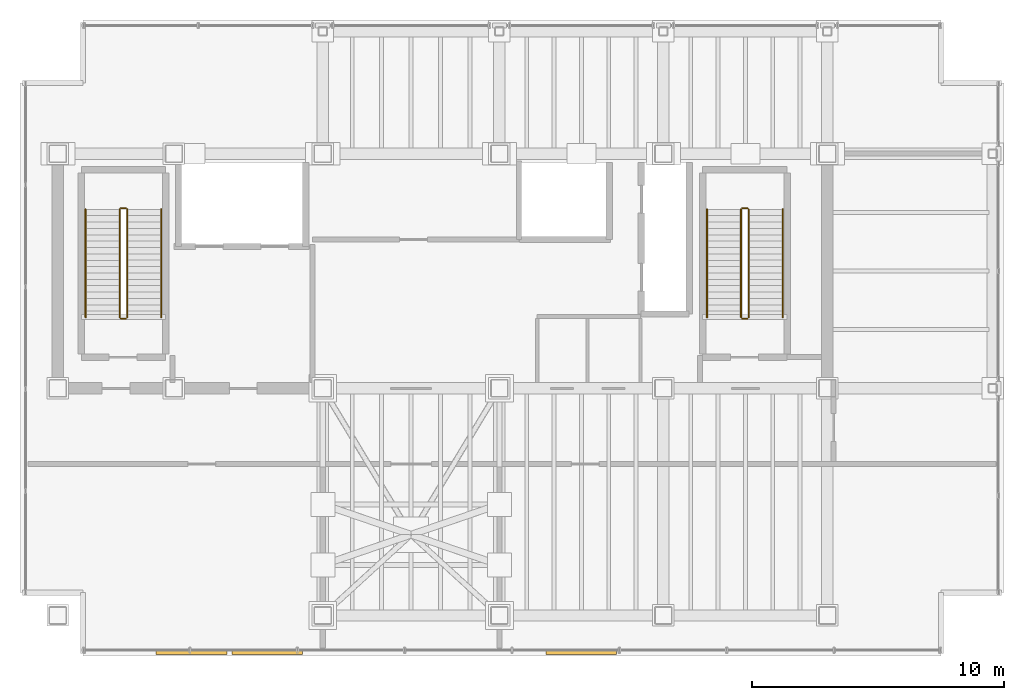
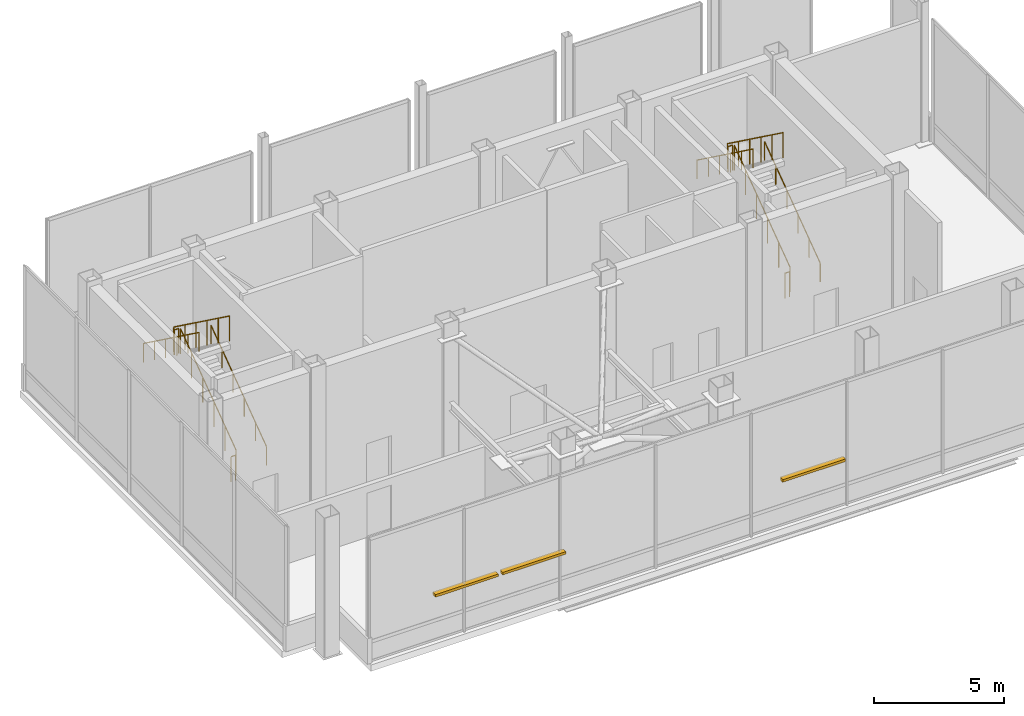
# One storey, part 19 of 19: 12 railings, 3 shading devices.
"""IFC4 building model written with IfcOpenShell, lengths in metres."""

import ifcopenshell
import ifcopenshell.guid

model = None  # the IFC model being written
_history = None  # IfcOwnerHistory: only IFC2X3 demands one
_inside = {}  # id of a spatial element -> (the spatial element, [elements in it])
_under = {}  # id of a project, library or spatial element -> (it, [spatial elements below it])
_declared = {}  # id of a project -> (the project, [libraries it declares])
_typed = {}  # id of a type object -> (the type object, [elements of that type])
_made_of = {}  # id of a material, layer set ... -> (it, [elements and type objects made of it])


def new_model(schema):
    """Start an empty IFC model of exactly this schema.

    Asked for "IFC4X3", IfcOpenShell would pick the latest addendum, in which some entities
    have other attributes; the version numbers below select the first issue.
    IFC2X3 requires an IfcOwnerHistory on every rooted entity: one is made here for all.
    """
    global model, _history
    if schema == "IFC4X3":
        model = ifcopenshell.file(schema_version=(4, 3, 0, 0))
    else:
        model = ifcopenshell.file(schema=schema)
    _inside.clear()
    _under.clear()
    _declared.clear()
    _typed.clear()
    _made_of.clear()
    _history = None
    if model.schema == "IFC2X3":
        org = make("IfcOrganization", Name="unknown")
        user = make(
            "IfcPersonAndOrganization",
            ThePerson=make("IfcPerson", FamilyName="unknown"),
            TheOrganization=org,
        )
        app = make(
            "IfcApplication",
            ApplicationDeveloper=org,
            Version="unknown",
            ApplicationFullName="unknown",
            ApplicationIdentifier="unknown",
        )
        _history = make(
            "IfcOwnerHistory",
            OwningUser=user,
            OwningApplication=app,
            ChangeAction="ADDED",
            CreationDate=0,
        )
    return model


def make(cls, **values):
    """One entity of the class cls with the attributes given. An attribute that is None is left unset."""
    return model.create_entity(
        cls, **{name: value for name, value in values.items() if value is not None}
    )


def rooted(cls, **values):
    """An entity with a GlobalId (a new one), such as an element, a storey or a relation."""
    return make(cls, GlobalId=ifcopenshell.guid.new(), OwnerHistory=_history, **values)


def si_unit(unit_type, name, prefix=None):
    """IfcSIUnit, for example si_unit("LENGTHUNIT", "METRE", prefix="MILLI")."""
    return make("IfcSIUnit", UnitType=unit_type, Prefix=prefix, Name=name)


def assignment(units):
    """IfcUnitAssignment: the units of a project."""
    return None if units is None else make("IfcUnitAssignment", Units=units)


def point(xyz):
    """IfcCartesianPoint."""
    return None if xyz is None else make("IfcCartesianPoint", Coordinates=xyz)


def direction(xyz):
    """IfcDirection."""
    return None if xyz is None else make("IfcDirection", DirectionRatios=xyz)


def frame(location, z_axis=None, x_axis=None):
    """IfcAxis2Placement3D, a coordinate frame: its origin and axes. An axis left out is left unset."""
    return make(
        "IfcAxis2Placement3D",
        Location=point(location),
        Axis=direction(z_axis),
        RefDirection=direction(x_axis),
    )


def frame_2d(location, x_axis=None):
    """IfcAxis2Placement2D, a coordinate frame in the plane: its origin and x axis."""
    return make(
        "IfcAxis2Placement2D", Location=point(location), RefDirection=direction(x_axis)
    )


def origin():
    """The frame at (0, 0, 0) with its axes left unset."""
    return frame((0.0, 0.0, 0.0))


def origin_2d():
    """The frame at (0, 0) in the plane with its x axis left unset."""
    return frame_2d((0.0, 0.0))


def place(relative_to, where):
    """IfcLocalPlacement: puts the frame where relative to a parent placement (None: the world)."""
    return make(
        "IfcLocalPlacement", PlacementRelTo=relative_to, RelativePlacement=where
    )


def context(
    kind, dimensions, precision=None, world=None, true_north=None, identifier=None
):
    """IfcGeometricRepresentationContext, for example the 3D "Model" context."""
    return make(
        "IfcGeometricRepresentationContext",
        ContextIdentifier=identifier,
        ContextType=kind,
        CoordinateSpaceDimension=dimensions,
        Precision=precision,
        WorldCoordinateSystem=world,
        TrueNorth=true_north,
    )


def subcontext(parent, identifier, kind, view, scale=None):
    """IfcGeometricRepresentationSubContext, for example "Body" below "Model"."""
    return make(
        "IfcGeometricRepresentationSubContext",
        ContextIdentifier=identifier,
        ContextType=kind,
        ParentContext=parent,
        TargetScale=scale,
        TargetView=view,
    )


def project(units=None, contexts=None):
    """IfcProject with its units and contexts."""
    return rooted(
        "IfcProject",
        Name="project",
        RepresentationContexts=contexts,
        UnitsInContext=assignment(units),
    )


def spatial(cls, under=None, at=None, **own):
    """A site, building, storey or space (cls), placed at a placement, below another one or the project."""
    s = rooted(cls, ObjectPlacement=at, **own)
    if under is not None:
        _under.setdefault(under.id(), (under, []))[1].append(s)
    return s


def profile(cls, at=None, kind="AREA", **sizes):
    """A parametric profile (cls). Its sizes go by their IFC names, for example OverallWidth=200.0."""
    return make(cls, ProfileType=kind, Position=at, **sizes)


def rectangle(**sizes):
    """IfcRectangleProfileDef."""
    return profile("IfcRectangleProfileDef", **sizes)


def circle(**sizes):
    """IfcCircleProfileDef."""
    return profile("IfcCircleProfileDef", **sizes)


def extrude(swept, where, along, depth):
    """IfcExtrudedAreaSolid: the profile swept, set in the frame where, extruded along a direction by depth."""
    return make(
        "IfcExtrudedAreaSolid",
        SweptArea=swept,
        Position=where,
        ExtrudedDirection=direction(along),
        Depth=depth,
    )


def shape(context_of_items, identifier, shape_type, items):
    """IfcShapeRepresentation: the items that make up one representation, for example the "Body"."""
    return make(
        "IfcShapeRepresentation",
        ContextOfItems=context_of_items,
        RepresentationIdentifier=identifier,
        RepresentationType=shape_type,
        Items=items,
    )


def material(Name=None, Category=None):
    """IfcMaterial."""
    return make("IfcMaterial", Name=Name, Category=Category)


def layer(
    of_material, thickness, ventilated=None, Name=None, Category=None, Priority=None
):
    """IfcMaterialLayer: one layer of a wall or slab, of a material (None: an air gap)."""
    return make(
        "IfcMaterialLayer",
        Material=of_material,
        LayerThickness=thickness,
        IsVentilated=ventilated,
        Name=Name,
        Category=Category,
        Priority=Priority,
    )


def layer_set(layers, Name=None):
    """IfcMaterialLayerSet."""
    return make("IfcMaterialLayerSet", MaterialLayers=layers, LayerSetName=Name)


def made_of(thing, what):
    """Note that an element or type object is made of a material, layer set ...; save() writes the relation."""
    if what is not None:
        _made_of.setdefault(what.id(), (what, []))[1].append(thing)
    return thing


def type_object(cls, material=None, **own):
    """A type object (cls), such as IfcWallType, which elements share."""
    return made_of(rooted(cls, **own), material)


def element(
    cls,
    number,
    at=None,
    inside=None,
    cuts=None,
    type_object=None,
    material=None,
    context=None,
    identifier="Body",
    shape_type=None,
    held_by="IfcProductDefinitionShape",
    body=None,
    shapes=None,
    **own,
):
    """One element of the class cls, such as IfcWall. Its Tag is "e" and its number.

    at: its placement. inside: the storey or other place that contains it. cuts: it is an
    opening in that element (IfcRelVoidsElement). A single representation is given by context,
    identifier, shape_type and body (its items); several are given by shapes. held_by: the class
    of the entity that holds the representations. save() writes the other relations.
    """
    e = rooted(cls, Tag="e%d" % number, ObjectPlacement=at, **own)
    if body is not None:
        shapes = [shape(context, identifier, shape_type, body)]
    if shapes is not None:
        e.Representation = make(held_by, Representations=shapes)
    if inside is not None:
        _inside.setdefault(inside.id(), (inside, []))[1].append(e)
    if cuts is not None:
        rooted(
            "IfcRelVoidsElement", RelatingBuildingElement=cuts, RelatedOpeningElement=e
        )
    if type_object is not None:
        _typed.setdefault(type_object.id(), (type_object, []))[1].append(e)
    return made_of(e, material)


def aggregate(whole, parts):
    """IfcRelAggregates: a whole, such as a stair, and the parts it consists of."""
    return rooted("IfcRelAggregates", RelatingObject=whole, RelatedObjects=parts)


def save(model, path):
    """Write the relations noted so far, then the file.

    IfcRelAggregates (storeys below a building ...), IfcRelContainedInSpatialStructure (elements
    in a storey), IfcRelDefinesByType, IfcRelAssociatesMaterial and IfcRelDeclares: one each for
    every whole, place, type object, material and project.
    """
    for whole, parts in _under.values():
        aggregate(whole, parts)
    for where, things in _inside.values():
        rooted(
            "IfcRelContainedInSpatialStructure",
            RelatedElements=things,
            RelatingStructure=where,
        )
    for kind, things in _typed.values():
        rooted("IfcRelDefinesByType", RelatedObjects=things, RelatingType=kind)
    for what, things in _made_of.values():
        rooted("IfcRelAssociatesMaterial", RelatedObjects=things, RelatingMaterial=what)
    for by, libraries in _declared.values():
        rooted("IfcRelDeclares", RelatingContext=by, RelatedDefinitions=libraries)
    model.write(path)


model = new_model("IFC4")

# Units and contexts
model_context = context("Model", 3, precision=1e-05, world=origin(), true_north=direction((0.0, 1.0)))
body_context = subcontext(model_context, "Body", "Model", "MODEL_VIEW")
ifc_project = project(units=[si_unit("LENGTHUNIT", "METRE"), si_unit("AREAUNIT", "SQUARE_METRE"), si_unit("VOLUMEUNIT", "CUBIC_METRE"), si_unit("PLANEANGLEUNIT", "RADIAN"), si_unit("MASSUNIT", "GRAM", prefix="KILO")], contexts=[model_context])

# Site, building, storey
site_placement = place(None, origin())
site = spatial("IfcSite", under=ifc_project, at=site_placement, CompositionType="ELEMENT")
building_placement = place(site_placement, origin())
building = spatial("IfcBuilding", under=site, at=building_placement, Name="Noeulbin Bourse Tower", CompositionType="ELEMENT")
storey_placement = place(building_placement, frame((0.0, 0.0, 306.0)))
storey = spatial("IfcBuildingStorey", under=building, at=storey_placement, Name="L76", CompositionType="ELEMENT", Elevation=306.0)

# Railings
ifc_material_1 = material(Name="Painted Tubular Steel S355", Category="steel")
ifc_layer_1 = layer(ifc_material_1, 0.048095703125)
ifc_layer_set_1 = layer_set([ifc_layer_1], Name="Painted Tubular Steel S355")
railing_type_1 = type_object("IfcRailingType", Name="RLG-STR-GRD", PredefinedType="GUARDRAIL", material=ifc_layer_set_1)
railing_1_placement = place(storey_placement, frame((16.25, 31.81005859375, 0.183349609375)))
element("IfcRailing", 1, at=railing_1_placement, inside=storey, type_object=railing_type_1, Name="L76 ST-1 stair guard 1", PredefinedType="GUARDRAIL", context=body_context, shape_type="SweptSolid", body=[
    extrude(circle(Radius=0.02392578125, at=origin_2d()), frame((0.0, 0.0, 1.17578125), z_axis=(0.0, 0.808636431558, 0.588308695803), x_axis=(-1.0, 0.0, 0.0)), (0.0, 0.0, 1.0), 5.297607421875),
    extrude(circle(Radius=0.02099609375, at=origin_2d()), origin(), (0.0, 0.0, 1.0), 1.15185546875),
    extrude(circle(Radius=0.02099609375, at=origin_2d()), frame((0.0, 0.856689453125, 0.623291015625)), (0.0, 0.0, 1.0), 1.15185546875),
    extrude(circle(Radius=0.02099609375, at=origin_2d()), frame((0.0, 1.713623046875, 1.24658203125)), (0.0, 0.0, 1.0), 1.15185546875),
    extrude(circle(Radius=0.02099609375, at=origin_2d()), frame((0.0, 2.5703125, 1.8701171875)), (0.0, 0.0, 1.0), 1.15185546875),
    extrude(circle(Radius=0.02099609375, at=origin_2d()), frame((0.0, 3.42724609375, 2.493408203125)), (0.0, 0.0, 1.0), 1.15185546875),
    extrude(circle(Radius=0.02099609375, at=origin_2d()), frame((0.0, 4.283935546875, 3.11669921875)), (0.0, 0.0, 1.0), 1.15185546875),
])
railing_2_placement = place(storey_placement, frame((16.199951171875, 36.14404296875, 3.300048828125)))
element("IfcRailing", 2, at=railing_2_placement, inside=storey, type_object=railing_type_1, Name="L76 ST-1 stair guard 2", PredefinedType="GUARDRAIL", context=body_context, shape_type="SweptSolid", body=[
    extrude(circle(Radius=0.02392578125, at=origin_2d()), frame((0.0, 0.0, 1.17578125), z_axis=(-1.0, 0.0, 0.0), x_axis=(0.0, -1.0, 0.0)), (0.0, 0.0, 1.0), 0.199951171875),
    extrude(circle(Radius=0.02099609375, at=origin_2d()), origin(), (0.0, 0.0, 1.0), 1.15185546875),
    extrude(circle(Radius=0.02099609375, at=origin_2d()), frame((-0.199951171875, 0.0, 0.0)), (0.0, 0.0, 1.0), 1.15185546875),
])
railing_3_placement = place(storey_placement, frame((15.949951171875, 36.093994140625, 3.4833984375)))
element("IfcRailing", 3, at=railing_3_placement, inside=storey, type_object=railing_type_1, Name="L76 ST-1 stair guard 3", PredefinedType="GUARDRAIL", context=body_context, shape_type="SweptSolid", body=[
    extrude(circle(Radius=0.02392578125, at=origin_2d()), frame((0.0, 0.0, 1.17578125), z_axis=(0.0, -0.808636431558, 0.588308695803), x_axis=(1.0, 0.0, 0.0)), (0.0, 0.0, 1.0), 5.297607421875),
    extrude(circle(Radius=0.02099609375, at=origin_2d()), origin(), (0.0, 0.0, 1.0), 1.15185546875),
    extrude(circle(Radius=0.02099609375, at=origin_2d()), frame((0.0, -0.856689453125, 0.623291015625)), (0.0, 0.0, 1.0), 1.15185546875),
    extrude(circle(Radius=0.02099609375, at=origin_2d()), frame((0.0, -1.713623046875, 1.24658203125)), (0.0, 0.0, 1.0), 1.15185546875),
    extrude(circle(Radius=0.02099609375, at=origin_2d()), frame((0.0, -2.5703125, 1.8701171875)), (0.0, 0.0, 1.0), 1.15185546875),
    extrude(circle(Radius=0.02099609375, at=origin_2d()), frame((0.0, -3.42724609375, 2.493408203125)), (0.0, 0.0, 1.0), 1.15185546875),
    extrude(circle(Radius=0.02099609375, at=origin_2d()), frame((0.0, -4.283935546875, 3.11669921875)), (0.0, 0.0, 1.0), 1.15185546875),
])
railing_4_placement = place(storey_placement, frame((16.199951171875, 31.760009765625, 0.0)))
element("IfcRailing", 4, at=railing_4_placement, inside=storey, type_object=railing_type_1, Name="L76 ST-1 stair guard 4", PredefinedType="GUARDRAIL", context=body_context, shape_type="SweptSolid", body=[
    extrude(circle(Radius=0.02392578125, at=origin_2d()), frame((0.0, 0.0, 1.17578125), z_axis=(-1.0, 0.0, 0.0), x_axis=(0.0, -1.0, 0.0)), (0.0, 0.0, 1.0), 0.199951171875),
    extrude(circle(Radius=0.02099609375, at=origin_2d()), origin(), (0.0, 0.0, 1.0), 1.15185546875),
    extrude(circle(Radius=0.02099609375, at=origin_2d()), frame((-0.199951171875, 0.0, 0.0)), (0.0, 0.0, 1.0), 1.15185546875),
])
railing_5_placement = place(storey_placement, frame((40.8798828125, 31.81005859375, 0.183349609375)))
element("IfcRailing", 5, at=railing_5_placement, inside=storey, type_object=railing_type_1, Name="L76 ST-2 stair guard 1", PredefinedType="GUARDRAIL", context=body_context, shape_type="SweptSolid", body=[
    extrude(circle(Radius=0.02392578125, at=origin_2d()), frame((0.0, 0.0, 1.17578125), z_axis=(0.0, 0.808636431558, 0.588308695803), x_axis=(-1.0, 0.0, 0.0)), (0.0, 0.0, 1.0), 5.297607421875),
    extrude(circle(Radius=0.02099609375, at=origin_2d()), origin(), (0.0, 0.0, 1.0), 1.15185546875),
    extrude(circle(Radius=0.02099609375, at=origin_2d()), frame((0.0, 0.856689453125, 0.623291015625)), (0.0, 0.0, 1.0), 1.15185546875),
    extrude(circle(Radius=0.02099609375, at=origin_2d()), frame((0.0, 1.713623046875, 1.24658203125)), (0.0, 0.0, 1.0), 1.15185546875),
    extrude(circle(Radius=0.02099609375, at=origin_2d()), frame((0.0, 2.5703125, 1.8701171875)), (0.0, 0.0, 1.0), 1.15185546875),
    extrude(circle(Radius=0.02099609375, at=origin_2d()), frame((0.0, 3.42724609375, 2.493408203125)), (0.0, 0.0, 1.0), 1.15185546875),
    extrude(circle(Radius=0.02099609375, at=origin_2d()), frame((0.0, 4.283935546875, 3.11669921875)), (0.0, 0.0, 1.0), 1.15185546875),
])
railing_6_placement = place(storey_placement, frame((40.830078125, 36.14404296875, 3.300048828125)))
element("IfcRailing", 6, at=railing_6_placement, inside=storey, type_object=railing_type_1, Name="L76 ST-2 stair guard 2", PredefinedType="GUARDRAIL", context=body_context, shape_type="SweptSolid", body=[
    extrude(circle(Radius=0.02392578125, at=origin_2d()), frame((0.0, 0.0, 1.17578125), z_axis=(-1.0, 0.0, 0.0), x_axis=(0.0, -1.0, 0.0)), (0.0, 0.0, 1.0), 0.2001953125),
    extrude(circle(Radius=0.02099609375, at=origin_2d()), origin(), (0.0, 0.0, 1.0), 1.15185546875),
    extrude(circle(Radius=0.02099609375, at=origin_2d()), frame((-0.2001953125, 0.0, 0.0)), (0.0, 0.0, 1.0), 1.15185546875),
])
railing_7_placement = place(storey_placement, frame((40.580078125, 36.093994140625, 3.4833984375)))
element("IfcRailing", 7, at=railing_7_placement, inside=storey, type_object=railing_type_1, Name="L76 ST-2 stair guard 3", PredefinedType="GUARDRAIL", context=body_context, shape_type="SweptSolid", body=[
    extrude(circle(Radius=0.02392578125, at=origin_2d()), frame((0.0, 0.0, 1.17578125), z_axis=(0.0, -0.808636431558, 0.588308695803), x_axis=(1.0, 0.0, 0.0)), (0.0, 0.0, 1.0), 5.297607421875),
    extrude(circle(Radius=0.02099609375, at=origin_2d()), origin(), (0.0, 0.0, 1.0), 1.15185546875),
    extrude(circle(Radius=0.02099609375, at=origin_2d()), frame((0.0, -0.856689453125, 0.623291015625)), (0.0, 0.0, 1.0), 1.15185546875),
    extrude(circle(Radius=0.02099609375, at=origin_2d()), frame((0.0, -1.713623046875, 1.24658203125)), (0.0, 0.0, 1.0), 1.15185546875),
    extrude(circle(Radius=0.02099609375, at=origin_2d()), frame((0.0, -2.5703125, 1.8701171875)), (0.0, 0.0, 1.0), 1.15185546875),
    extrude(circle(Radius=0.02099609375, at=origin_2d()), frame((0.0, -3.42724609375, 2.493408203125)), (0.0, 0.0, 1.0), 1.15185546875),
    extrude(circle(Radius=0.02099609375, at=origin_2d()), frame((0.0, -4.283935546875, 3.11669921875)), (0.0, 0.0, 1.0), 1.15185546875),
])
railing_8_placement = place(storey_placement, frame((40.830078125, 31.760009765625, 0.0)))
element("IfcRailing", 8, at=railing_8_placement, inside=storey, type_object=railing_type_1, Name="L76 ST-2 stair guard 4", PredefinedType="GUARDRAIL", context=body_context, shape_type="SweptSolid", body=[
    extrude(circle(Radius=0.02392578125, at=origin_2d()), frame((0.0, 0.0, 1.17578125), z_axis=(-1.0, 0.0, 0.0), x_axis=(0.0, -1.0, 0.0)), (0.0, 0.0, 1.0), 0.2001953125),
    extrude(circle(Radius=0.02099609375, at=origin_2d()), origin(), (0.0, 0.0, 1.0), 1.15185546875),
    extrude(circle(Radius=0.02099609375, at=origin_2d()), frame((-0.2001953125, 0.0, 0.0)), (0.0, 0.0, 1.0), 1.15185546875),
])
ifc_material_2 = material(Name="Brushed Stainless Steel 316", Category="steel")
ifc_layer_2 = layer(ifc_material_2, 0.048095703125)
ifc_layer_set_2 = layer_set([ifc_layer_2], Name="Brushed Stainless Steel 316")
railing_type_2 = type_object("IfcRailingType", Name="RLG-STR-HND", PredefinedType="HANDRAIL", material=ifc_layer_set_2)
railing_9_placement = place(storey_placement, frame((17.60009765625, 31.81005859375, 0.183349609375)))
element("IfcRailing", 9, at=railing_9_placement, inside=storey, type_object=railing_type_2, Name="L76 ST-1 stair handrail 1", PredefinedType="HANDRAIL", context=body_context, shape_type="SweptSolid", body=[
    extrude(circle(Radius=0.02392578125, at=origin_2d()), frame((0.0, 0.0, 0.8759765625), z_axis=(0.0, 0.808636431558, 0.588308695803), x_axis=(-1.0, 0.0, 0.0)), (0.0, 0.0, 1.0), 5.297607421875),
    extrude(circle(Radius=0.02099609375, at=origin_2d()), origin(), (0.0, 0.0, 1.0), 0.851806640625),
    extrude(circle(Radius=0.02099609375, at=origin_2d()), frame((0.0, 0.856689453125, 0.623291015625)), (0.0, 0.0, 1.0), 0.851806640625),
    extrude(circle(Radius=0.02099609375, at=origin_2d()), frame((0.0, 1.713623046875, 1.24658203125)), (0.0, 0.0, 1.0), 0.851806640625),
    extrude(circle(Radius=0.02099609375, at=origin_2d()), frame((0.0, 2.5703125, 1.8701171875)), (0.0, 0.0, 1.0), 0.851806640625),
    extrude(circle(Radius=0.02099609375, at=origin_2d()), frame((0.0, 3.42724609375, 2.493408203125)), (0.0, 0.0, 1.0), 0.851806640625),
    extrude(circle(Radius=0.02099609375, at=origin_2d()), frame((0.0, 4.283935546875, 3.11669921875)), (0.0, 0.0, 1.0), 0.851806640625),
])
railing_10_placement = place(storey_placement, frame((14.60009765625, 36.093994140625, 3.4833984375)))
element("IfcRailing", 10, at=railing_10_placement, inside=storey, type_object=railing_type_2, Name="L76 ST-1 stair handrail 2", PredefinedType="HANDRAIL", context=body_context, shape_type="SweptSolid", body=[
    extrude(circle(Radius=0.02392578125, at=origin_2d()), frame((0.0, 0.0, 0.8759765625), z_axis=(0.0, -0.808636431558, 0.588308695803), x_axis=(1.0, 0.0, 0.0)), (0.0, 0.0, 1.0), 5.297607421875),
    extrude(circle(Radius=0.02099609375, at=origin_2d()), origin(), (0.0, 0.0, 1.0), 0.851806640625),
    extrude(circle(Radius=0.02099609375, at=origin_2d()), frame((0.0, -0.856689453125, 0.623291015625)), (0.0, 0.0, 1.0), 0.851806640625),
    extrude(circle(Radius=0.02099609375, at=origin_2d()), frame((0.0, -1.713623046875, 1.24658203125)), (0.0, 0.0, 1.0), 0.851806640625),
    extrude(circle(Radius=0.02099609375, at=origin_2d()), frame((0.0, -2.5703125, 1.8701171875)), (0.0, 0.0, 1.0), 0.851806640625),
    extrude(circle(Radius=0.02099609375, at=origin_2d()), frame((0.0, -3.42724609375, 2.493408203125)), (0.0, 0.0, 1.0), 0.851806640625),
    extrude(circle(Radius=0.02099609375, at=origin_2d()), frame((0.0, -4.283935546875, 3.11669921875)), (0.0, 0.0, 1.0), 0.851806640625),
])
railing_11_placement = place(storey_placement, frame((42.22998046875, 31.81005859375, 0.183349609375)))
element("IfcRailing", 11, at=railing_11_placement, inside=storey, type_object=railing_type_2, Name="L76 ST-2 stair handrail 1", PredefinedType="HANDRAIL", context=body_context, shape_type="SweptSolid", body=[
    extrude(circle(Radius=0.02392578125, at=origin_2d()), frame((0.0, 0.0, 0.8759765625), z_axis=(0.0, 0.808636431558, 0.588308695803), x_axis=(-1.0, 0.0, 0.0)), (0.0, 0.0, 1.0), 5.297607421875),
    extrude(circle(Radius=0.02099609375, at=origin_2d()), origin(), (0.0, 0.0, 1.0), 0.851806640625),
    extrude(circle(Radius=0.02099609375, at=origin_2d()), frame((0.0, 0.856689453125, 0.623291015625)), (0.0, 0.0, 1.0), 0.851806640625),
    extrude(circle(Radius=0.02099609375, at=origin_2d()), frame((0.0, 1.713623046875, 1.24658203125)), (0.0, 0.0, 1.0), 0.851806640625),
    extrude(circle(Radius=0.02099609375, at=origin_2d()), frame((0.0, 2.5703125, 1.8701171875)), (0.0, 0.0, 1.0), 0.851806640625),
    extrude(circle(Radius=0.02099609375, at=origin_2d()), frame((0.0, 3.42724609375, 2.493408203125)), (0.0, 0.0, 1.0), 0.851806640625),
    extrude(circle(Radius=0.02099609375, at=origin_2d()), frame((0.0, 4.283935546875, 3.11669921875)), (0.0, 0.0, 1.0), 0.851806640625),
])
railing_12_placement = place(storey_placement, frame((39.22998046875, 36.093994140625, 3.4833984375)))
element("IfcRailing", 12, at=railing_12_placement, inside=storey, type_object=railing_type_2, Name="L76 ST-2 stair handrail 2", PredefinedType="HANDRAIL", context=body_context, shape_type="SweptSolid", body=[
    extrude(circle(Radius=0.02392578125, at=origin_2d()), frame((0.0, 0.0, 0.8759765625), z_axis=(0.0, -0.808636431558, 0.588308695803), x_axis=(1.0, 0.0, 0.0)), (0.0, 0.0, 1.0), 5.297607421875),
    extrude(circle(Radius=0.02099609375, at=origin_2d()), origin(), (0.0, 0.0, 1.0), 0.851806640625),
    extrude(circle(Radius=0.02099609375, at=origin_2d()), frame((0.0, -0.856689453125, 0.623291015625)), (0.0, 0.0, 1.0), 0.851806640625),
    extrude(circle(Radius=0.02099609375, at=origin_2d()), frame((0.0, -1.713623046875, 1.24658203125)), (0.0, 0.0, 1.0), 0.851806640625),
    extrude(circle(Radius=0.02099609375, at=origin_2d()), frame((0.0, -2.5703125, 1.8701171875)), (0.0, 0.0, 1.0), 0.851806640625),
    extrude(circle(Radius=0.02099609375, at=origin_2d()), frame((0.0, -3.42724609375, 2.493408203125)), (0.0, 0.0, 1.0), 0.851806640625),
    extrude(circle(Radius=0.02099609375, at=origin_2d()), frame((0.0, -4.283935546875, 3.11669921875)), (0.0, 0.0, 1.0), 0.851806640625),
])

# Shading devices
ifc_material_3 = material(Name="Fluoropolymer Coated Aluminium 6063-T6", Category="aluminium")
ifc_layer_3 = layer(ifc_material_3, 0.1201171875)
ifc_layer_set_3 = layer_set([ifc_layer_3], Name="Fluoropolymer Coated Aluminium 6063-T6")
shading_device_type = type_object("IfcShadingDeviceType", Name="SHD-LVR-300", PredefinedType="USERDEFINED", material=ifc_layer_set_3)
for number, where, z_axis, x_axis, name in (
    (13, (18.800048828125, 18.56005859375, 2.139892578125), (0.0, 0.0, 1.0), (1.0, 0.0, 0.0), "Intake Weather Louvre LV-L76-1"),
    (14, (21.800048828125, 18.56005859375, 2.139892578125), (0.0, 0.0, 1.0), (1.0, 0.0, 0.0), "Intake Weather Louvre LV-L76-2"),
    (15, (34.25, 18.56005859375, 2.139892578125), (0.0, 0.0, 1.0), (1.0, 0.0, 0.0), "Intake Weather Louvre LV-L76-3"),
):
    element("IfcShadingDevice", number, at=place(storey_placement, frame(where, z_axis=z_axis, x_axis=x_axis)), inside=storey, type_object=shading_device_type, Name=name, ObjectType="LOUVRE", PredefinedType="USERDEFINED", context=body_context, shape_type="SweptSolid", body=[
        extrude(rectangle(XDim=2.800048828125, YDim=0.219970703125, at=origin_2d()), origin(), (0.0, 0.0, 1.0), 0.1201171875),
    ])

save(model, "model.ifc")
